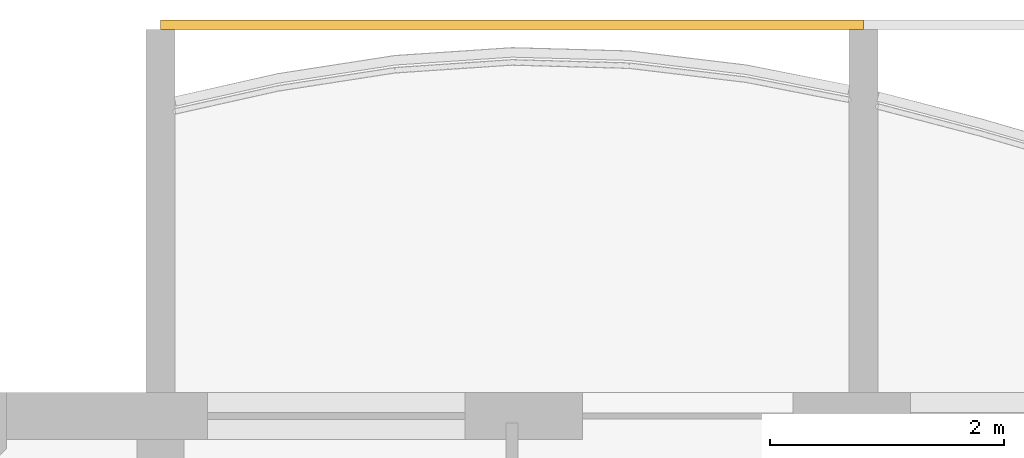
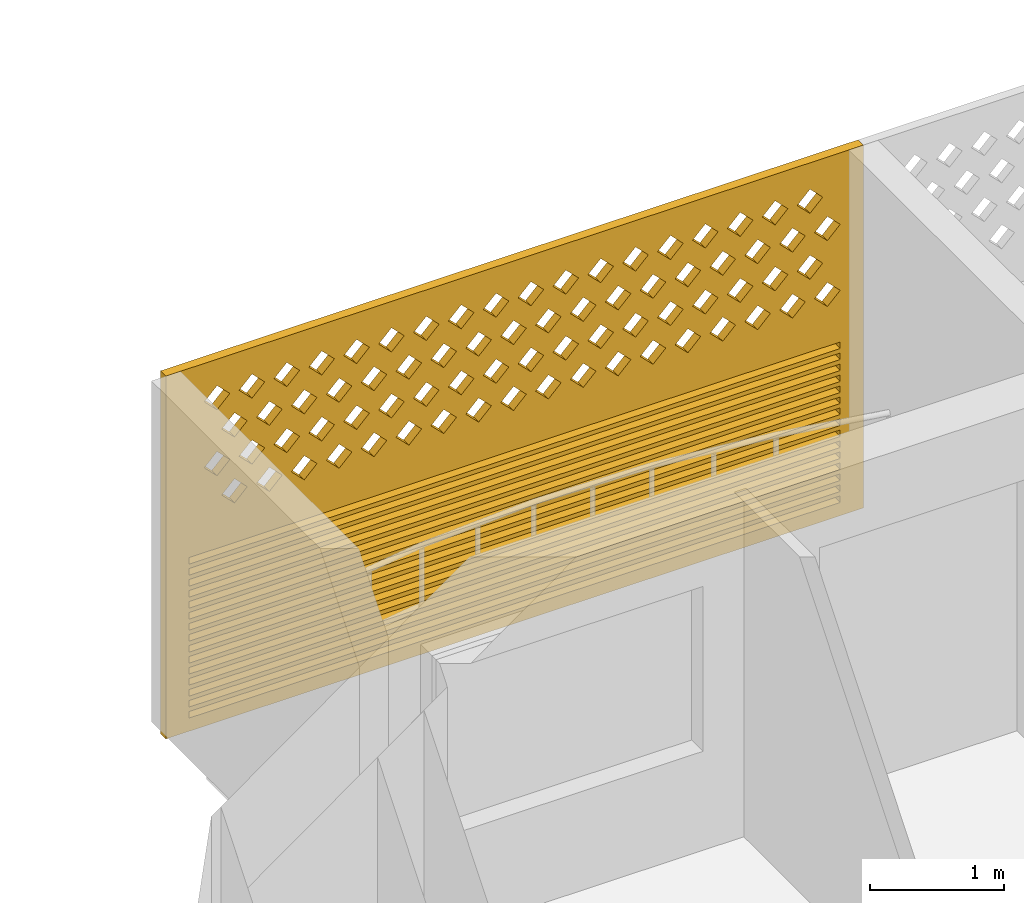
# One storey, part 21 of 40: 1 covering.
"""IFC4 building model written with IfcOpenShell, lengths in metres."""

import ifcopenshell
import ifcopenshell.guid

model = None  # the IFC model being written
_history = None  # IfcOwnerHistory: only IFC2X3 demands one
_inside = {}  # id of a spatial element -> (the spatial element, [elements in it])
_under = {}  # id of a project, library or spatial element -> (it, [spatial elements below it])
_declared = {}  # id of a project -> (the project, [libraries it declares])
_typed = {}  # id of a type object -> (the type object, [elements of that type])
_made_of = {}  # id of a material, layer set ... -> (it, [elements and type objects made of it])


def new_model(schema):
    """Start an empty IFC model of exactly this schema.

    Asked for "IFC4X3", IfcOpenShell would pick the latest addendum, in which some entities
    have other attributes; the version numbers below select the first issue.
    IFC2X3 requires an IfcOwnerHistory on every rooted entity: one is made here for all.
    """
    global model, _history
    if schema == "IFC4X3":
        model = ifcopenshell.file(schema_version=(4, 3, 0, 0))
    else:
        model = ifcopenshell.file(schema=schema)
    _inside.clear()
    _under.clear()
    _declared.clear()
    _typed.clear()
    _made_of.clear()
    _history = None
    if model.schema == "IFC2X3":
        org = make("IfcOrganization", Name="unknown")
        user = make(
            "IfcPersonAndOrganization",
            ThePerson=make("IfcPerson", FamilyName="unknown"),
            TheOrganization=org,
        )
        app = make(
            "IfcApplication",
            ApplicationDeveloper=org,
            Version="unknown",
            ApplicationFullName="unknown",
            ApplicationIdentifier="unknown",
        )
        _history = make(
            "IfcOwnerHistory",
            OwningUser=user,
            OwningApplication=app,
            ChangeAction="ADDED",
            CreationDate=0,
        )
    return model


def make(cls, **values):
    """One entity of the class cls with the attributes given. An attribute that is None is left unset."""
    return model.create_entity(
        cls, **{name: value for name, value in values.items() if value is not None}
    )


def rooted(cls, **values):
    """An entity with a GlobalId (a new one), such as an element, a storey or a relation."""
    return make(cls, GlobalId=ifcopenshell.guid.new(), OwnerHistory=_history, **values)


def si_unit(unit_type, name, prefix=None):
    """IfcSIUnit, for example si_unit("LENGTHUNIT", "METRE", prefix="MILLI")."""
    return make("IfcSIUnit", UnitType=unit_type, Prefix=prefix, Name=name)


def assignment(units):
    """IfcUnitAssignment: the units of a project."""
    return None if units is None else make("IfcUnitAssignment", Units=units)


def point(xyz):
    """IfcCartesianPoint."""
    return None if xyz is None else make("IfcCartesianPoint", Coordinates=xyz)


def direction(xyz):
    """IfcDirection."""
    return None if xyz is None else make("IfcDirection", DirectionRatios=xyz)


def frame(location, z_axis=None, x_axis=None):
    """IfcAxis2Placement3D, a coordinate frame: its origin and axes. An axis left out is left unset."""
    return make(
        "IfcAxis2Placement3D",
        Location=point(location),
        Axis=direction(z_axis),
        RefDirection=direction(x_axis),
    )


def origin():
    """The frame at (0, 0, 0) with its axes left unset."""
    return frame((0.0, 0.0, 0.0))


def place(relative_to, where):
    """IfcLocalPlacement: puts the frame where relative to a parent placement (None: the world)."""
    return make(
        "IfcLocalPlacement", PlacementRelTo=relative_to, RelativePlacement=where
    )


def context(
    kind, dimensions, precision=None, world=None, true_north=None, identifier=None
):
    """IfcGeometricRepresentationContext, for example the 3D "Model" context."""
    return make(
        "IfcGeometricRepresentationContext",
        ContextIdentifier=identifier,
        ContextType=kind,
        CoordinateSpaceDimension=dimensions,
        Precision=precision,
        WorldCoordinateSystem=world,
        TrueNorth=true_north,
    )


def subcontext(parent, identifier, kind, view, scale=None):
    """IfcGeometricRepresentationSubContext, for example "Body" below "Model"."""
    return make(
        "IfcGeometricRepresentationSubContext",
        ContextIdentifier=identifier,
        ContextType=kind,
        ParentContext=parent,
        TargetScale=scale,
        TargetView=view,
    )


def project(units=None, contexts=None):
    """IfcProject with its units and contexts."""
    return rooted(
        "IfcProject",
        Name="project",
        RepresentationContexts=contexts,
        UnitsInContext=assignment(units),
    )


def spatial(cls, under=None, at=None, **own):
    """A site, building, storey or space (cls), placed at a placement, below another one or the project."""
    s = rooted(cls, ObjectPlacement=at, **own)
    if under is not None:
        _under.setdefault(under.id(), (under, []))[1].append(s)
    return s


def polyline(points):
    """IfcPolyline through the points."""
    return make("IfcPolyline", Points=[point(p) for p in points])


def outline(outer, holes=None, kind="AREA"):
    """IfcArbitraryClosedProfileDef: a profile drawn as a closed curve; with holes, ...WithVoids."""
    if holes is None:
        return make("IfcArbitraryClosedProfileDef", ProfileType=kind, OuterCurve=outer)
    return make(
        "IfcArbitraryProfileDefWithVoids",
        ProfileType=kind,
        OuterCurve=outer,
        InnerCurves=holes,
    )


def extrude(swept, where, along, depth):
    """IfcExtrudedAreaSolid: the profile swept, set in the frame where, extruded along a direction by depth."""
    return make(
        "IfcExtrudedAreaSolid",
        SweptArea=swept,
        Position=where,
        ExtrudedDirection=direction(along),
        Depth=depth,
    )


def shape(context_of_items, identifier, shape_type, items):
    """IfcShapeRepresentation: the items that make up one representation, for example the "Body"."""
    return make(
        "IfcShapeRepresentation",
        ContextOfItems=context_of_items,
        RepresentationIdentifier=identifier,
        RepresentationType=shape_type,
        Items=items,
    )


def source(mapping_origin, context_of_items, identifier, shape_type, items):
    """IfcRepresentationMap: a shape defined once, which mapped items show again and again."""
    return make(
        "IfcRepresentationMap",
        MappingOrigin=mapping_origin,
        MappedRepresentation=shape(context_of_items, identifier, shape_type, items),
    )


def transform(
    local_origin,
    x_axis=None,
    y_axis=None,
    z_axis=None,
    scale=None,
    scale2=None,
    scale3=None,
    uniform=True,
):
    """IfcCartesianTransformationOperator3D, or its non-uniform kind. x_axis, y_axis, z_axis: its Axis1, 2, 3."""
    if uniform:
        return make(
            "IfcCartesianTransformationOperator3D",
            Axis1=direction(x_axis),
            Axis2=direction(y_axis),
            LocalOrigin=point(local_origin),
            Scale=scale,
            Axis3=direction(z_axis),
        )
    return make(
        "IfcCartesianTransformationOperator3DnonUniform",
        Axis1=direction(x_axis),
        Axis2=direction(y_axis),
        LocalOrigin=point(local_origin),
        Scale=scale,
        Axis3=direction(z_axis),
        Scale2=scale2,
        Scale3=scale3,
    )


def mapped(mapping_source, mapping_target):
    """IfcMappedItem: shows the shape of a source again, moved by a transform."""
    return make(
        "IfcMappedItem", MappingSource=mapping_source, MappingTarget=mapping_target
    )


def material(Name=None, Category=None):
    """IfcMaterial."""
    return make("IfcMaterial", Name=Name, Category=Category)


def material_profile(
    of_material, cross_section, Name=None, Category=None, Priority=None
):
    """IfcMaterialProfile: a cross section and its material."""
    return make(
        "IfcMaterialProfile",
        Name=Name,
        Material=of_material,
        Profile=cross_section,
        Priority=Priority,
        Category=Category,
    )


def profile_set(profiles, Name=None, composite=None):
    """IfcMaterialProfileSet."""
    return make(
        "IfcMaterialProfileSet",
        Name=Name,
        MaterialProfiles=profiles,
        CompositeProfile=composite,
    )


def made_of(thing, what):
    """Note that an element or type object is made of a material, layer set ...; save() writes the relation."""
    if what is not None:
        _made_of.setdefault(what.id(), (what, []))[1].append(thing)
    return thing


def type_object(cls, material=None, **own):
    """A type object (cls), such as IfcWallType, which elements share."""
    return made_of(rooted(cls, **own), material)


def element(
    cls,
    number,
    at=None,
    inside=None,
    cuts=None,
    type_object=None,
    material=None,
    context=None,
    identifier="Body",
    shape_type=None,
    held_by="IfcProductDefinitionShape",
    body=None,
    shapes=None,
    **own,
):
    """One element of the class cls, such as IfcWall. Its Tag is "e" and its number.

    at: its placement. inside: the storey or other place that contains it. cuts: it is an
    opening in that element (IfcRelVoidsElement). A single representation is given by context,
    identifier, shape_type and body (its items); several are given by shapes. held_by: the class
    of the entity that holds the representations. save() writes the other relations.
    """
    e = rooted(cls, Tag="e%d" % number, ObjectPlacement=at, **own)
    if body is not None:
        shapes = [shape(context, identifier, shape_type, body)]
    if shapes is not None:
        e.Representation = make(held_by, Representations=shapes)
    if inside is not None:
        _inside.setdefault(inside.id(), (inside, []))[1].append(e)
    if cuts is not None:
        rooted(
            "IfcRelVoidsElement", RelatingBuildingElement=cuts, RelatedOpeningElement=e
        )
    if type_object is not None:
        _typed.setdefault(type_object.id(), (type_object, []))[1].append(e)
    return made_of(e, material)


def aggregate(whole, parts):
    """IfcRelAggregates: a whole, such as a stair, and the parts it consists of."""
    return rooted("IfcRelAggregates", RelatingObject=whole, RelatedObjects=parts)


def save(model, path):
    """Write the relations noted so far, then the file.

    IfcRelAggregates (storeys below a building ...), IfcRelContainedInSpatialStructure (elements
    in a storey), IfcRelDefinesByType, IfcRelAssociatesMaterial and IfcRelDeclares: one each for
    every whole, place, type object, material and project.
    """
    for whole, parts in _under.values():
        aggregate(whole, parts)
    for where, things in _inside.values():
        rooted(
            "IfcRelContainedInSpatialStructure",
            RelatedElements=things,
            RelatingStructure=where,
        )
    for kind, things in _typed.values():
        rooted("IfcRelDefinesByType", RelatedObjects=things, RelatingType=kind)
    for what, things in _made_of.values():
        rooted("IfcRelAssociatesMaterial", RelatedObjects=things, RelatingMaterial=what)
    for by, libraries in _declared.values():
        rooted("IfcRelDeclares", RelatingContext=by, RelatedDefinitions=libraries)
    model.write(path)


model = new_model("IFC4")

# Units and contexts
model_context = context("Model", 3, precision=1e-05, world=origin(), true_north=direction((0.0, 1.0)))
body_context = subcontext(model_context, "Body", "Model", "MODEL_VIEW")
ifc_project = project(units=[si_unit("LENGTHUNIT", "METRE"), si_unit("AREAUNIT", "SQUARE_METRE"), si_unit("VOLUMEUNIT", "CUBIC_METRE"), si_unit("PLANEANGLEUNIT", "RADIAN"), si_unit("MASSUNIT", "GRAM", prefix="KILO")], contexts=[model_context])

# Site, building, storey
site_placement = place(None, origin())
site = spatial("IfcSite", under=ifc_project, at=site_placement, CompositionType="ELEMENT")
building_placement = place(site_placement, origin())
building = spatial("IfcBuilding", under=site, at=building_placement, Name="Poui Terraces", CompositionType="ELEMENT")
storey_placement = place(building_placement, frame((0.0, 0.0, 36.60009765625)))
storey = spatial("IfcBuildingStorey", under=building, at=storey_placement, Name="L09", CompositionType="ELEMENT", Elevation=36.60009765625)

# Covering
ifc_material = material(Name="Terracotta screen", Category="masonry")
ifc_material_profile = material_profile(ifc_material, outline(polyline([(-3.0, -1.64990234375), (3.0, -1.64990234375), (3.0, 1.64990234375), (-3.0, 1.64990234375), (-3.0, -1.64990234375)]), holes=[polyline([(-2.800048828125, 0.39990234375), (-2.68994140625, 0.2900390625), (-2.580078125, 0.39990234375), (-2.68994140625, 0.510009765625), (-2.800048828125, 0.39990234375)]), polyline([(-2.5, 0.39990234375), (-2.389892578125, 0.2900390625), (-2.280029296875, 0.39990234375), (-2.389892578125, 0.510009765625), (-2.5, 0.39990234375)]), polyline([(-2.199951171875, 0.39990234375), (-2.090087890625, 0.2900390625), (-1.97998046875, 0.39990234375), (-2.090087890625, 0.510009765625), (-2.199951171875, 0.39990234375)]), polyline([(-1.89990234375, 0.39990234375), (-1.7900390625, 0.2900390625), (-1.679931640625, 0.39990234375), (-1.7900390625, 0.510009765625), (-1.89990234375, 0.39990234375)]), polyline([(-1.60009765625, 0.39990234375), (-1.489990234375, 0.2900390625), (-1.3798828125, 0.39990234375), (-1.489990234375, 0.510009765625), (-1.60009765625, 0.39990234375)]), polyline([(-1.300048828125, 0.39990234375), (-1.18994140625, 0.2900390625), (-1.080078125, 0.39990234375), (-1.18994140625, 0.510009765625), (-1.300048828125, 0.39990234375)]), polyline([(-1.0, 0.39990234375), (-0.889892578125, 0.2900390625), (-0.780029296875, 0.39990234375), (-0.889892578125, 0.510009765625), (-1.0, 0.39990234375)]), polyline([(-0.699951171875, 0.39990234375), (-0.590087890625, 0.2900390625), (-0.47998046875, 0.39990234375), (-0.590087890625, 0.510009765625), (-0.699951171875, 0.39990234375)]), polyline([(-0.39990234375, 0.39990234375), (-0.2900390625, 0.2900390625), (-0.179931640625, 0.39990234375), (-0.2900390625, 0.510009765625), (-0.39990234375, 0.39990234375)]), polyline([(-0.10009765625, 0.39990234375), (0.010009765625, 0.2900390625), (0.1201171875, 0.39990234375), (0.010009765625, 0.510009765625), (-0.10009765625, 0.39990234375)]), polyline([(0.199951171875, 0.39990234375), (0.31005859375, 0.2900390625), (0.419921875, 0.39990234375), (0.31005859375, 0.510009765625), (0.199951171875, 0.39990234375)]), polyline([(0.5, 0.39990234375), (0.610107421875, 0.2900390625), (0.719970703125, 0.39990234375), (0.610107421875, 0.510009765625), (0.5, 0.39990234375)]), polyline([(0.800048828125, 0.39990234375), (0.909912109375, 0.2900390625), (1.02001953125, 0.39990234375), (0.909912109375, 0.510009765625), (0.800048828125, 0.39990234375)]), polyline([(1.10009765625, 0.39990234375), (1.2099609375, 0.2900390625), (1.320068359375, 0.39990234375), (1.2099609375, 0.510009765625), (1.10009765625, 0.39990234375)]), polyline([(1.39990234375, 0.39990234375), (1.510009765625, 0.2900390625), (1.6201171875, 0.39990234375), (1.510009765625, 0.510009765625), (1.39990234375, 0.39990234375)]), polyline([(1.699951171875, 0.39990234375), (1.81005859375, 0.2900390625), (1.919921875, 0.39990234375), (1.81005859375, 0.510009765625), (1.699951171875, 0.39990234375)]), polyline([(2.0, 0.39990234375), (2.110107421875, 0.2900390625), (2.219970703125, 0.39990234375), (2.110107421875, 0.510009765625), (2.0, 0.39990234375)]), polyline([(2.300048828125, 0.39990234375), (2.409912109375, 0.2900390625), (2.52001953125, 0.39990234375), (2.409912109375, 0.510009765625), (2.300048828125, 0.39990234375)]), polyline([(-2.64990234375, 0.699951171875), (-2.5400390625, 0.590087890625), (-2.429931640625, 0.699951171875), (-2.5400390625, 0.81005859375), (-2.64990234375, 0.699951171875)]), polyline([(-2.35009765625, 0.699951171875), (-2.239990234375, 0.590087890625), (-2.1298828125, 0.699951171875), (-2.239990234375, 0.81005859375), (-2.35009765625, 0.699951171875)]), polyline([(-2.050048828125, 0.699951171875), (-1.93994140625, 0.590087890625), (-1.830078125, 0.699951171875), (-1.93994140625, 0.81005859375), (-2.050048828125, 0.699951171875)]), polyline([(-1.75, 0.699951171875), (-1.639892578125, 0.590087890625), (-1.530029296875, 0.699951171875), (-1.639892578125, 0.81005859375), (-1.75, 0.699951171875)]), polyline([(-1.449951171875, 0.699951171875), (-1.340087890625, 0.590087890625), (-1.22998046875, 0.699951171875), (-1.340087890625, 0.81005859375), (-1.449951171875, 0.699951171875)]), polyline([(-1.14990234375, 0.699951171875), (-1.0400390625, 0.590087890625), (-0.929931640625, 0.699951171875), (-1.0400390625, 0.81005859375), (-1.14990234375, 0.699951171875)]), polyline([(-0.85009765625, 0.699951171875), (-0.739990234375, 0.590087890625), (-0.6298828125, 0.699951171875), (-0.739990234375, 0.81005859375), (-0.85009765625, 0.699951171875)]), polyline([(-0.550048828125, 0.699951171875), (-0.43994140625, 0.590087890625), (-0.330078125, 0.699951171875), (-0.43994140625, 0.81005859375), (-0.550048828125, 0.699951171875)]), polyline([(-0.25, 0.699951171875), (-0.139892578125, 0.590087890625), (-0.030029296875, 0.699951171875), (-0.139892578125, 0.81005859375), (-0.25, 0.699951171875)]), polyline([(0.050048828125, 0.699951171875), (0.159912109375, 0.590087890625), (0.27001953125, 0.699951171875), (0.159912109375, 0.81005859375), (0.050048828125, 0.699951171875)]), polyline([(0.35009765625, 0.699951171875), (0.4599609375, 0.590087890625), (0.570068359375, 0.699951171875), (0.4599609375, 0.81005859375), (0.35009765625, 0.699951171875)]), polyline([(0.64990234375, 0.699951171875), (0.760009765625, 0.590087890625), (0.8701171875, 0.699951171875), (0.760009765625, 0.81005859375), (0.64990234375, 0.699951171875)]), polyline([(0.949951171875, 0.699951171875), (1.06005859375, 0.590087890625), (1.169921875, 0.699951171875), (1.06005859375, 0.81005859375), (0.949951171875, 0.699951171875)]), polyline([(1.25, 0.699951171875), (1.360107421875, 0.590087890625), (1.469970703125, 0.699951171875), (1.360107421875, 0.81005859375), (1.25, 0.699951171875)]), polyline([(1.550048828125, 0.699951171875), (1.659912109375, 0.590087890625), (1.77001953125, 0.699951171875), (1.659912109375, 0.81005859375), (1.550048828125, 0.699951171875)]), polyline([(1.85009765625, 0.699951171875), (1.9599609375, 0.590087890625), (2.070068359375, 0.699951171875), (1.9599609375, 0.81005859375), (1.85009765625, 0.699951171875)]), polyline([(2.14990234375, 0.699951171875), (2.260009765625, 0.590087890625), (2.3701171875, 0.699951171875), (2.260009765625, 0.81005859375), (2.14990234375, 0.699951171875)]), polyline([(2.449951171875, 0.699951171875), (2.56005859375, 0.590087890625), (2.669921875, 0.699951171875), (2.56005859375, 0.81005859375), (2.449951171875, 0.699951171875)]), polyline([(-2.800048828125, 1.0), (-2.68994140625, 0.889892578125), (-2.580078125, 1.0), (-2.68994140625, 1.110107421875), (-2.800048828125, 1.0)]), polyline([(-2.5, 1.0), (-2.389892578125, 0.889892578125), (-2.280029296875, 1.0), (-2.389892578125, 1.110107421875), (-2.5, 1.0)]), polyline([(-2.199951171875, 1.0), (-2.090087890625, 0.889892578125), (-1.97998046875, 1.0), (-2.090087890625, 1.110107421875), (-2.199951171875, 1.0)]), polyline([(-1.89990234375, 1.0), (-1.7900390625, 0.889892578125), (-1.679931640625, 1.0), (-1.7900390625, 1.110107421875), (-1.89990234375, 1.0)]), polyline([(-1.60009765625, 1.0), (-1.489990234375, 0.889892578125), (-1.3798828125, 1.0), (-1.489990234375, 1.110107421875), (-1.60009765625, 1.0)]), polyline([(-1.300048828125, 1.0), (-1.18994140625, 0.889892578125), (-1.080078125, 1.0), (-1.18994140625, 1.110107421875), (-1.300048828125, 1.0)]), polyline([(-1.0, 1.0), (-0.889892578125, 0.889892578125), (-0.780029296875, 1.0), (-0.889892578125, 1.110107421875), (-1.0, 1.0)]), polyline([(-0.699951171875, 1.0), (-0.590087890625, 0.889892578125), (-0.47998046875, 1.0), (-0.590087890625, 1.110107421875), (-0.699951171875, 1.0)]), polyline([(-0.39990234375, 1.0), (-0.2900390625, 0.889892578125), (-0.179931640625, 1.0), (-0.2900390625, 1.110107421875), (-0.39990234375, 1.0)]), polyline([(-0.10009765625, 1.0), (0.010009765625, 0.889892578125), (0.1201171875, 1.0), (0.010009765625, 1.110107421875), (-0.10009765625, 1.0)]), polyline([(0.199951171875, 1.0), (0.31005859375, 0.889892578125), (0.419921875, 1.0), (0.31005859375, 1.110107421875), (0.199951171875, 1.0)]), polyline([(0.5, 1.0), (0.610107421875, 0.889892578125), (0.719970703125, 1.0), (0.610107421875, 1.110107421875), (0.5, 1.0)]), polyline([(0.800048828125, 1.0), (0.909912109375, 0.889892578125), (1.02001953125, 1.0), (0.909912109375, 1.110107421875), (0.800048828125, 1.0)]), polyline([(1.10009765625, 1.0), (1.2099609375, 0.889892578125), (1.320068359375, 1.0), (1.2099609375, 1.110107421875), (1.10009765625, 1.0)]), polyline([(1.39990234375, 1.0), (1.510009765625, 0.889892578125), (1.6201171875, 1.0), (1.510009765625, 1.110107421875), (1.39990234375, 1.0)]), polyline([(1.699951171875, 1.0), (1.81005859375, 0.889892578125), (1.919921875, 1.0), (1.81005859375, 1.110107421875), (1.699951171875, 1.0)]), polyline([(2.0, 1.0), (2.110107421875, 0.889892578125), (2.219970703125, 1.0), (2.110107421875, 1.110107421875), (2.0, 1.0)]), polyline([(2.300048828125, 1.0), (2.409912109375, 0.889892578125), (2.52001953125, 1.0), (2.409912109375, 1.110107421875), (2.300048828125, 1.0)]), polyline([(-2.64990234375, 1.300048828125), (-2.5400390625, 1.18994140625), (-2.429931640625, 1.300048828125), (-2.5400390625, 1.409912109375), (-2.64990234375, 1.300048828125)]), polyline([(-2.35009765625, 1.300048828125), (-2.239990234375, 1.18994140625), (-2.1298828125, 1.300048828125), (-2.239990234375, 1.409912109375), (-2.35009765625, 1.300048828125)]), polyline([(-2.050048828125, 1.300048828125), (-1.93994140625, 1.18994140625), (-1.830078125, 1.300048828125), (-1.93994140625, 1.409912109375), (-2.050048828125, 1.300048828125)]), polyline([(-1.75, 1.300048828125), (-1.639892578125, 1.18994140625), (-1.530029296875, 1.300048828125), (-1.639892578125, 1.409912109375), (-1.75, 1.300048828125)]), polyline([(-1.449951171875, 1.300048828125), (-1.340087890625, 1.18994140625), (-1.22998046875, 1.300048828125), (-1.340087890625, 1.409912109375), (-1.449951171875, 1.300048828125)]), polyline([(-1.14990234375, 1.300048828125), (-1.0400390625, 1.18994140625), (-0.929931640625, 1.300048828125), (-1.0400390625, 1.409912109375), (-1.14990234375, 1.300048828125)]), polyline([(-0.85009765625, 1.300048828125), (-0.739990234375, 1.18994140625), (-0.6298828125, 1.300048828125), (-0.739990234375, 1.409912109375), (-0.85009765625, 1.300048828125)]), polyline([(-0.550048828125, 1.300048828125), (-0.43994140625, 1.18994140625), (-0.330078125, 1.300048828125), (-0.43994140625, 1.409912109375), (-0.550048828125, 1.300048828125)]), polyline([(-0.25, 1.300048828125), (-0.139892578125, 1.18994140625), (-0.030029296875, 1.300048828125), (-0.139892578125, 1.409912109375), (-0.25, 1.300048828125)]), polyline([(0.050048828125, 1.300048828125), (0.159912109375, 1.18994140625), (0.27001953125, 1.300048828125), (0.159912109375, 1.409912109375), (0.050048828125, 1.300048828125)]), polyline([(0.35009765625, 1.300048828125), (0.4599609375, 1.18994140625), (0.570068359375, 1.300048828125), (0.4599609375, 1.409912109375), (0.35009765625, 1.300048828125)]), polyline([(0.64990234375, 1.300048828125), (0.760009765625, 1.18994140625), (0.8701171875, 1.300048828125), (0.760009765625, 1.409912109375), (0.64990234375, 1.300048828125)]), polyline([(0.949951171875, 1.300048828125), (1.06005859375, 1.18994140625), (1.169921875, 1.300048828125), (1.06005859375, 1.409912109375), (0.949951171875, 1.300048828125)]), polyline([(1.25, 1.300048828125), (1.360107421875, 1.18994140625), (1.469970703125, 1.300048828125), (1.360107421875, 1.409912109375), (1.25, 1.300048828125)]), polyline([(1.550048828125, 1.300048828125), (1.659912109375, 1.18994140625), (1.77001953125, 1.300048828125), (1.659912109375, 1.409912109375), (1.550048828125, 1.300048828125)]), polyline([(1.85009765625, 1.300048828125), (1.9599609375, 1.18994140625), (2.070068359375, 1.300048828125), (1.9599609375, 1.409912109375), (1.85009765625, 1.300048828125)]), polyline([(2.14990234375, 1.300048828125), (2.260009765625, 1.18994140625), (2.3701171875, 1.300048828125), (2.260009765625, 1.409912109375), (2.14990234375, 1.300048828125)]), polyline([(2.449951171875, 1.300048828125), (2.56005859375, 1.18994140625), (2.669921875, 1.300048828125), (2.56005859375, 1.409912109375), (2.449951171875, 1.300048828125)]), polyline([(-2.800048828125, -1.530029296875), (2.800048828125, -1.530029296875), (2.800048828125, -1.469970703125), (-2.800048828125, -1.469970703125), (-2.800048828125, -1.530029296875)]), polyline([(-2.800048828125, -1.429931640625), (2.800048828125, -1.429931640625), (2.800048828125, -1.3701171875), (-2.800048828125, -1.3701171875), (-2.800048828125, -1.429931640625)]), polyline([(-2.800048828125, -1.330078125), (2.800048828125, -1.330078125), (2.800048828125, -1.27001953125), (-2.800048828125, -1.27001953125), (-2.800048828125, -1.330078125)]), polyline([(-2.800048828125, -1.22998046875), (2.800048828125, -1.22998046875), (2.800048828125, -1.169921875), (-2.800048828125, -1.169921875), (-2.800048828125, -1.22998046875)]), polyline([(-2.800048828125, -1.1298828125), (2.800048828125, -1.1298828125), (2.800048828125, -1.070068359375), (-2.800048828125, -1.070068359375), (-2.800048828125, -1.1298828125)]), polyline([(-2.800048828125, -1.030029296875), (2.800048828125, -1.030029296875), (2.800048828125, -0.969970703125), (-2.800048828125, -0.969970703125), (-2.800048828125, -1.030029296875)]), polyline([(-2.800048828125, -0.929931640625), (2.800048828125, -0.929931640625), (2.800048828125, -0.8701171875), (-2.800048828125, -0.8701171875), (-2.800048828125, -0.929931640625)]), polyline([(-2.800048828125, -0.830078125), (2.800048828125, -0.830078125), (2.800048828125, -0.77001953125), (-2.800048828125, -0.77001953125), (-2.800048828125, -0.830078125)]), polyline([(-2.800048828125, -0.72998046875), (2.800048828125, -0.72998046875), (2.800048828125, -0.669921875), (-2.800048828125, -0.669921875), (-2.800048828125, -0.72998046875)]), polyline([(-2.800048828125, -0.6298828125), (2.800048828125, -0.6298828125), (2.800048828125, -0.570068359375), (-2.800048828125, -0.570068359375), (-2.800048828125, -0.6298828125)]), polyline([(-2.800048828125, -0.530029296875), (2.800048828125, -0.530029296875), (2.800048828125, -0.469970703125), (-2.800048828125, -0.469970703125), (-2.800048828125, -0.530029296875)]), polyline([(-2.800048828125, -0.429931640625), (2.800048828125, -0.429931640625), (2.800048828125, -0.3701171875), (-2.800048828125, -0.3701171875), (-2.800048828125, -0.429931640625)]), polyline([(-2.800048828125, -0.330078125), (2.800048828125, -0.330078125), (2.800048828125, -0.27001953125), (-2.800048828125, -0.27001953125), (-2.800048828125, -0.330078125)]), polyline([(-2.800048828125, -0.22998046875), (2.800048828125, -0.22998046875), (2.800048828125, -0.169921875), (-2.800048828125, -0.169921875), (-2.800048828125, -0.22998046875)]), polyline([(-2.800048828125, -0.1298828125), (2.800048828125, -0.1298828125), (2.800048828125, -0.070068359375), (-2.800048828125, -0.070068359375), (-2.800048828125, -0.1298828125)])]), Name="TERRACOTTA SCREEN AND JALOUSIE LOUVRE 6000X3300")
ifc_profile_set = profile_set([ifc_material_profile], Name="Terracotta screen")
covering_type = type_object("IfcCoveringType", Name="TERRACOTTA SCREEN AND JALOUSIE LOUVRE 6000X3300", PredefinedType="CLADDING", material=ifc_profile_set)
shared_shape = source(origin(), body_context, "Body", "SweptSolid", [
    extrude(outline(polyline([(-3.0, -1.64990234375), (3.0, -1.64990234375), (3.0, 1.64990234375), (-3.0, 1.64990234375), (-3.0, -1.64990234375)]), holes=[polyline([(-2.800048828125, 0.39990234375), (-2.68994140625, 0.2900390625), (-2.580078125, 0.39990234375), (-2.68994140625, 0.510009765625), (-2.800048828125, 0.39990234375)]), polyline([(-2.5, 0.39990234375), (-2.389892578125, 0.2900390625), (-2.280029296875, 0.39990234375), (-2.389892578125, 0.510009765625), (-2.5, 0.39990234375)]), polyline([(-2.199951171875, 0.39990234375), (-2.090087890625, 0.2900390625), (-1.97998046875, 0.39990234375), (-2.090087890625, 0.510009765625), (-2.199951171875, 0.39990234375)]), polyline([(-1.89990234375, 0.39990234375), (-1.7900390625, 0.2900390625), (-1.679931640625, 0.39990234375), (-1.7900390625, 0.510009765625), (-1.89990234375, 0.39990234375)]), polyline([(-1.60009765625, 0.39990234375), (-1.489990234375, 0.2900390625), (-1.3798828125, 0.39990234375), (-1.489990234375, 0.510009765625), (-1.60009765625, 0.39990234375)]), polyline([(-1.300048828125, 0.39990234375), (-1.18994140625, 0.2900390625), (-1.080078125, 0.39990234375), (-1.18994140625, 0.510009765625), (-1.300048828125, 0.39990234375)]), polyline([(-1.0, 0.39990234375), (-0.889892578125, 0.2900390625), (-0.780029296875, 0.39990234375), (-0.889892578125, 0.510009765625), (-1.0, 0.39990234375)]), polyline([(-0.699951171875, 0.39990234375), (-0.590087890625, 0.2900390625), (-0.47998046875, 0.39990234375), (-0.590087890625, 0.510009765625), (-0.699951171875, 0.39990234375)]), polyline([(-0.39990234375, 0.39990234375), (-0.2900390625, 0.2900390625), (-0.179931640625, 0.39990234375), (-0.2900390625, 0.510009765625), (-0.39990234375, 0.39990234375)]), polyline([(-0.10009765625, 0.39990234375), (0.010009765625, 0.2900390625), (0.1201171875, 0.39990234375), (0.010009765625, 0.510009765625), (-0.10009765625, 0.39990234375)]), polyline([(0.199951171875, 0.39990234375), (0.31005859375, 0.2900390625), (0.419921875, 0.39990234375), (0.31005859375, 0.510009765625), (0.199951171875, 0.39990234375)]), polyline([(0.5, 0.39990234375), (0.610107421875, 0.2900390625), (0.719970703125, 0.39990234375), (0.610107421875, 0.510009765625), (0.5, 0.39990234375)]), polyline([(0.800048828125, 0.39990234375), (0.909912109375, 0.2900390625), (1.02001953125, 0.39990234375), (0.909912109375, 0.510009765625), (0.800048828125, 0.39990234375)]), polyline([(1.10009765625, 0.39990234375), (1.2099609375, 0.2900390625), (1.320068359375, 0.39990234375), (1.2099609375, 0.510009765625), (1.10009765625, 0.39990234375)]), polyline([(1.39990234375, 0.39990234375), (1.510009765625, 0.2900390625), (1.6201171875, 0.39990234375), (1.510009765625, 0.510009765625), (1.39990234375, 0.39990234375)]), polyline([(1.699951171875, 0.39990234375), (1.81005859375, 0.2900390625), (1.919921875, 0.39990234375), (1.81005859375, 0.510009765625), (1.699951171875, 0.39990234375)]), polyline([(2.0, 0.39990234375), (2.110107421875, 0.2900390625), (2.219970703125, 0.39990234375), (2.110107421875, 0.510009765625), (2.0, 0.39990234375)]), polyline([(2.300048828125, 0.39990234375), (2.409912109375, 0.2900390625), (2.52001953125, 0.39990234375), (2.409912109375, 0.510009765625), (2.300048828125, 0.39990234375)]), polyline([(-2.64990234375, 0.699951171875), (-2.5400390625, 0.590087890625), (-2.429931640625, 0.699951171875), (-2.5400390625, 0.81005859375), (-2.64990234375, 0.699951171875)]), polyline([(-2.35009765625, 0.699951171875), (-2.239990234375, 0.590087890625), (-2.1298828125, 0.699951171875), (-2.239990234375, 0.81005859375), (-2.35009765625, 0.699951171875)]), polyline([(-2.050048828125, 0.699951171875), (-1.93994140625, 0.590087890625), (-1.830078125, 0.699951171875), (-1.93994140625, 0.81005859375), (-2.050048828125, 0.699951171875)]), polyline([(-1.75, 0.699951171875), (-1.639892578125, 0.590087890625), (-1.530029296875, 0.699951171875), (-1.639892578125, 0.81005859375), (-1.75, 0.699951171875)]), polyline([(-1.449951171875, 0.699951171875), (-1.340087890625, 0.590087890625), (-1.22998046875, 0.699951171875), (-1.340087890625, 0.81005859375), (-1.449951171875, 0.699951171875)]), polyline([(-1.14990234375, 0.699951171875), (-1.0400390625, 0.590087890625), (-0.929931640625, 0.699951171875), (-1.0400390625, 0.81005859375), (-1.14990234375, 0.699951171875)]), polyline([(-0.85009765625, 0.699951171875), (-0.739990234375, 0.590087890625), (-0.6298828125, 0.699951171875), (-0.739990234375, 0.81005859375), (-0.85009765625, 0.699951171875)]), polyline([(-0.550048828125, 0.699951171875), (-0.43994140625, 0.590087890625), (-0.330078125, 0.699951171875), (-0.43994140625, 0.81005859375), (-0.550048828125, 0.699951171875)]), polyline([(-0.25, 0.699951171875), (-0.139892578125, 0.590087890625), (-0.030029296875, 0.699951171875), (-0.139892578125, 0.81005859375), (-0.25, 0.699951171875)]), polyline([(0.050048828125, 0.699951171875), (0.159912109375, 0.590087890625), (0.27001953125, 0.699951171875), (0.159912109375, 0.81005859375), (0.050048828125, 0.699951171875)]), polyline([(0.35009765625, 0.699951171875), (0.4599609375, 0.590087890625), (0.570068359375, 0.699951171875), (0.4599609375, 0.81005859375), (0.35009765625, 0.699951171875)]), polyline([(0.64990234375, 0.699951171875), (0.760009765625, 0.590087890625), (0.8701171875, 0.699951171875), (0.760009765625, 0.81005859375), (0.64990234375, 0.699951171875)]), polyline([(0.949951171875, 0.699951171875), (1.06005859375, 0.590087890625), (1.169921875, 0.699951171875), (1.06005859375, 0.81005859375), (0.949951171875, 0.699951171875)]), polyline([(1.25, 0.699951171875), (1.360107421875, 0.590087890625), (1.469970703125, 0.699951171875), (1.360107421875, 0.81005859375), (1.25, 0.699951171875)]), polyline([(1.550048828125, 0.699951171875), (1.659912109375, 0.590087890625), (1.77001953125, 0.699951171875), (1.659912109375, 0.81005859375), (1.550048828125, 0.699951171875)]), polyline([(1.85009765625, 0.699951171875), (1.9599609375, 0.590087890625), (2.070068359375, 0.699951171875), (1.9599609375, 0.81005859375), (1.85009765625, 0.699951171875)]), polyline([(2.14990234375, 0.699951171875), (2.260009765625, 0.590087890625), (2.3701171875, 0.699951171875), (2.260009765625, 0.81005859375), (2.14990234375, 0.699951171875)]), polyline([(2.449951171875, 0.699951171875), (2.56005859375, 0.590087890625), (2.669921875, 0.699951171875), (2.56005859375, 0.81005859375), (2.449951171875, 0.699951171875)]), polyline([(-2.800048828125, 1.0), (-2.68994140625, 0.889892578125), (-2.580078125, 1.0), (-2.68994140625, 1.110107421875), (-2.800048828125, 1.0)]), polyline([(-2.5, 1.0), (-2.389892578125, 0.889892578125), (-2.280029296875, 1.0), (-2.389892578125, 1.110107421875), (-2.5, 1.0)]), polyline([(-2.199951171875, 1.0), (-2.090087890625, 0.889892578125), (-1.97998046875, 1.0), (-2.090087890625, 1.110107421875), (-2.199951171875, 1.0)]), polyline([(-1.89990234375, 1.0), (-1.7900390625, 0.889892578125), (-1.679931640625, 1.0), (-1.7900390625, 1.110107421875), (-1.89990234375, 1.0)]), polyline([(-1.60009765625, 1.0), (-1.489990234375, 0.889892578125), (-1.3798828125, 1.0), (-1.489990234375, 1.110107421875), (-1.60009765625, 1.0)]), polyline([(-1.300048828125, 1.0), (-1.18994140625, 0.889892578125), (-1.080078125, 1.0), (-1.18994140625, 1.110107421875), (-1.300048828125, 1.0)]), polyline([(-1.0, 1.0), (-0.889892578125, 0.889892578125), (-0.780029296875, 1.0), (-0.889892578125, 1.110107421875), (-1.0, 1.0)]), polyline([(-0.699951171875, 1.0), (-0.590087890625, 0.889892578125), (-0.47998046875, 1.0), (-0.590087890625, 1.110107421875), (-0.699951171875, 1.0)]), polyline([(-0.39990234375, 1.0), (-0.2900390625, 0.889892578125), (-0.179931640625, 1.0), (-0.2900390625, 1.110107421875), (-0.39990234375, 1.0)]), polyline([(-0.10009765625, 1.0), (0.010009765625, 0.889892578125), (0.1201171875, 1.0), (0.010009765625, 1.110107421875), (-0.10009765625, 1.0)]), polyline([(0.199951171875, 1.0), (0.31005859375, 0.889892578125), (0.419921875, 1.0), (0.31005859375, 1.110107421875), (0.199951171875, 1.0)]), polyline([(0.5, 1.0), (0.610107421875, 0.889892578125), (0.719970703125, 1.0), (0.610107421875, 1.110107421875), (0.5, 1.0)]), polyline([(0.800048828125, 1.0), (0.909912109375, 0.889892578125), (1.02001953125, 1.0), (0.909912109375, 1.110107421875), (0.800048828125, 1.0)]), polyline([(1.10009765625, 1.0), (1.2099609375, 0.889892578125), (1.320068359375, 1.0), (1.2099609375, 1.110107421875), (1.10009765625, 1.0)]), polyline([(1.39990234375, 1.0), (1.510009765625, 0.889892578125), (1.6201171875, 1.0), (1.510009765625, 1.110107421875), (1.39990234375, 1.0)]), polyline([(1.699951171875, 1.0), (1.81005859375, 0.889892578125), (1.919921875, 1.0), (1.81005859375, 1.110107421875), (1.699951171875, 1.0)]), polyline([(2.0, 1.0), (2.110107421875, 0.889892578125), (2.219970703125, 1.0), (2.110107421875, 1.110107421875), (2.0, 1.0)]), polyline([(2.300048828125, 1.0), (2.409912109375, 0.889892578125), (2.52001953125, 1.0), (2.409912109375, 1.110107421875), (2.300048828125, 1.0)]), polyline([(-2.64990234375, 1.300048828125), (-2.5400390625, 1.18994140625), (-2.429931640625, 1.300048828125), (-2.5400390625, 1.409912109375), (-2.64990234375, 1.300048828125)]), polyline([(-2.35009765625, 1.300048828125), (-2.239990234375, 1.18994140625), (-2.1298828125, 1.300048828125), (-2.239990234375, 1.409912109375), (-2.35009765625, 1.300048828125)]), polyline([(-2.050048828125, 1.300048828125), (-1.93994140625, 1.18994140625), (-1.830078125, 1.300048828125), (-1.93994140625, 1.409912109375), (-2.050048828125, 1.300048828125)]), polyline([(-1.75, 1.300048828125), (-1.639892578125, 1.18994140625), (-1.530029296875, 1.300048828125), (-1.639892578125, 1.409912109375), (-1.75, 1.300048828125)]), polyline([(-1.449951171875, 1.300048828125), (-1.340087890625, 1.18994140625), (-1.22998046875, 1.300048828125), (-1.340087890625, 1.409912109375), (-1.449951171875, 1.300048828125)]), polyline([(-1.14990234375, 1.300048828125), (-1.0400390625, 1.18994140625), (-0.929931640625, 1.300048828125), (-1.0400390625, 1.409912109375), (-1.14990234375, 1.300048828125)]), polyline([(-0.85009765625, 1.300048828125), (-0.739990234375, 1.18994140625), (-0.6298828125, 1.300048828125), (-0.739990234375, 1.409912109375), (-0.85009765625, 1.300048828125)]), polyline([(-0.550048828125, 1.300048828125), (-0.43994140625, 1.18994140625), (-0.330078125, 1.300048828125), (-0.43994140625, 1.409912109375), (-0.550048828125, 1.300048828125)]), polyline([(-0.25, 1.300048828125), (-0.139892578125, 1.18994140625), (-0.030029296875, 1.300048828125), (-0.139892578125, 1.409912109375), (-0.25, 1.300048828125)]), polyline([(0.050048828125, 1.300048828125), (0.159912109375, 1.18994140625), (0.27001953125, 1.300048828125), (0.159912109375, 1.409912109375), (0.050048828125, 1.300048828125)]), polyline([(0.35009765625, 1.300048828125), (0.4599609375, 1.18994140625), (0.570068359375, 1.300048828125), (0.4599609375, 1.409912109375), (0.35009765625, 1.300048828125)]), polyline([(0.64990234375, 1.300048828125), (0.760009765625, 1.18994140625), (0.8701171875, 1.300048828125), (0.760009765625, 1.409912109375), (0.64990234375, 1.300048828125)]), polyline([(0.949951171875, 1.300048828125), (1.06005859375, 1.18994140625), (1.169921875, 1.300048828125), (1.06005859375, 1.409912109375), (0.949951171875, 1.300048828125)]), polyline([(1.25, 1.300048828125), (1.360107421875, 1.18994140625), (1.469970703125, 1.300048828125), (1.360107421875, 1.409912109375), (1.25, 1.300048828125)]), polyline([(1.550048828125, 1.300048828125), (1.659912109375, 1.18994140625), (1.77001953125, 1.300048828125), (1.659912109375, 1.409912109375), (1.550048828125, 1.300048828125)]), polyline([(1.85009765625, 1.300048828125), (1.9599609375, 1.18994140625), (2.070068359375, 1.300048828125), (1.9599609375, 1.409912109375), (1.85009765625, 1.300048828125)]), polyline([(2.14990234375, 1.300048828125), (2.260009765625, 1.18994140625), (2.3701171875, 1.300048828125), (2.260009765625, 1.409912109375), (2.14990234375, 1.300048828125)]), polyline([(2.449951171875, 1.300048828125), (2.56005859375, 1.18994140625), (2.669921875, 1.300048828125), (2.56005859375, 1.409912109375), (2.449951171875, 1.300048828125)]), polyline([(-2.800048828125, -1.530029296875), (2.800048828125, -1.530029296875), (2.800048828125, -1.469970703125), (-2.800048828125, -1.469970703125), (-2.800048828125, -1.530029296875)]), polyline([(-2.800048828125, -1.429931640625), (2.800048828125, -1.429931640625), (2.800048828125, -1.3701171875), (-2.800048828125, -1.3701171875), (-2.800048828125, -1.429931640625)]), polyline([(-2.800048828125, -1.330078125), (2.800048828125, -1.330078125), (2.800048828125, -1.27001953125), (-2.800048828125, -1.27001953125), (-2.800048828125, -1.330078125)]), polyline([(-2.800048828125, -1.22998046875), (2.800048828125, -1.22998046875), (2.800048828125, -1.169921875), (-2.800048828125, -1.169921875), (-2.800048828125, -1.22998046875)]), polyline([(-2.800048828125, -1.1298828125), (2.800048828125, -1.1298828125), (2.800048828125, -1.070068359375), (-2.800048828125, -1.070068359375), (-2.800048828125, -1.1298828125)]), polyline([(-2.800048828125, -1.030029296875), (2.800048828125, -1.030029296875), (2.800048828125, -0.969970703125), (-2.800048828125, -0.969970703125), (-2.800048828125, -1.030029296875)]), polyline([(-2.800048828125, -0.929931640625), (2.800048828125, -0.929931640625), (2.800048828125, -0.8701171875), (-2.800048828125, -0.8701171875), (-2.800048828125, -0.929931640625)]), polyline([(-2.800048828125, -0.830078125), (2.800048828125, -0.830078125), (2.800048828125, -0.77001953125), (-2.800048828125, -0.77001953125), (-2.800048828125, -0.830078125)]), polyline([(-2.800048828125, -0.72998046875), (2.800048828125, -0.72998046875), (2.800048828125, -0.669921875), (-2.800048828125, -0.669921875), (-2.800048828125, -0.72998046875)]), polyline([(-2.800048828125, -0.6298828125), (2.800048828125, -0.6298828125), (2.800048828125, -0.570068359375), (-2.800048828125, -0.570068359375), (-2.800048828125, -0.6298828125)]), polyline([(-2.800048828125, -0.530029296875), (2.800048828125, -0.530029296875), (2.800048828125, -0.469970703125), (-2.800048828125, -0.469970703125), (-2.800048828125, -0.530029296875)]), polyline([(-2.800048828125, -0.429931640625), (2.800048828125, -0.429931640625), (2.800048828125, -0.3701171875), (-2.800048828125, -0.3701171875), (-2.800048828125, -0.429931640625)]), polyline([(-2.800048828125, -0.330078125), (2.800048828125, -0.330078125), (2.800048828125, -0.27001953125), (-2.800048828125, -0.27001953125), (-2.800048828125, -0.330078125)]), polyline([(-2.800048828125, -0.22998046875), (2.800048828125, -0.22998046875), (2.800048828125, -0.169921875), (-2.800048828125, -0.169921875), (-2.800048828125, -0.22998046875)]), polyline([(-2.800048828125, -0.1298828125), (2.800048828125, -0.1298828125), (2.800048828125, -0.070068359375), (-2.800048828125, -0.070068359375), (-2.800048828125, -0.1298828125)])]), origin(), (0.0, 0.0, 1.0), 0.079833984375),
])
covering_placement = place(storey_placement, frame((9.0, 48.10009765625, 1.449951171875), z_axis=(0.0, 1.0, 0.0), x_axis=(-1.0, 0.0, 0.0)))
element("IfcCovering", 1, at=covering_placement, inside=storey, type_object=covering_type, Name="SOLAR SCREEN AND JALOUSIE LOUVRE", PredefinedType="CLADDING", context=body_context, shape_type="MappedRepresentation", body=[
    mapped(shared_shape, transform((0.0, 0.0, 0.0))),
])

save(model, "model.ifc")
